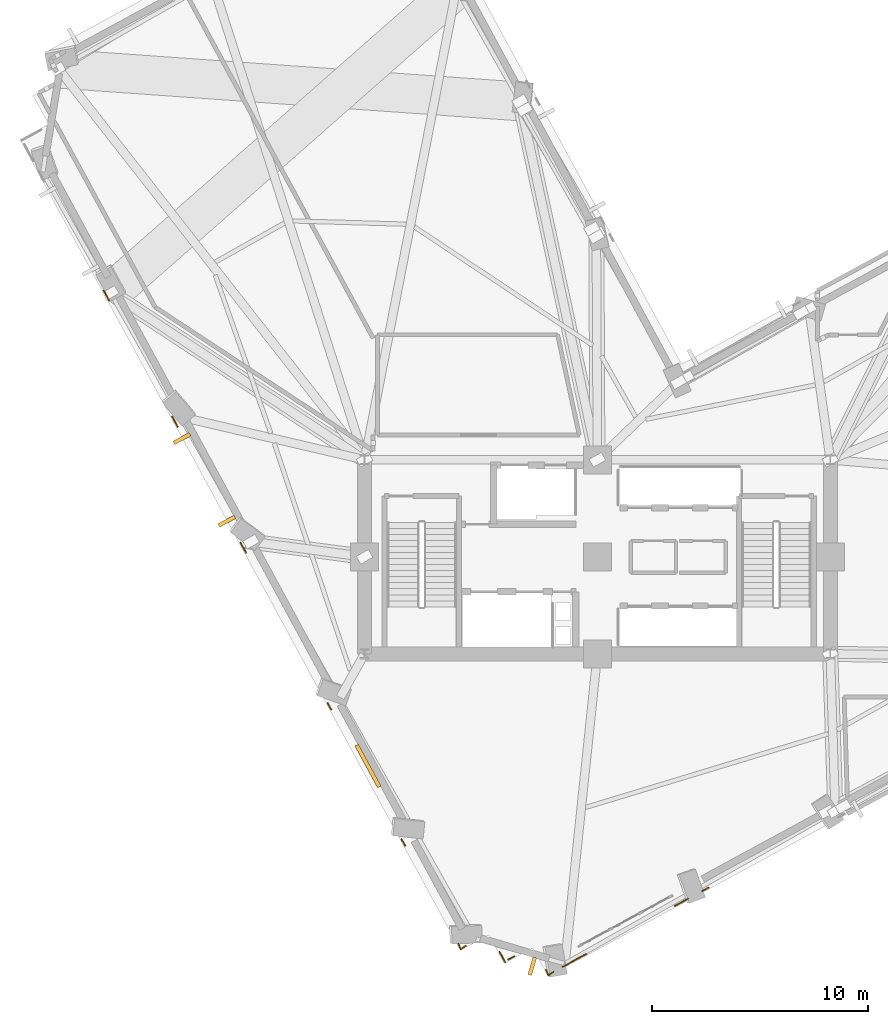
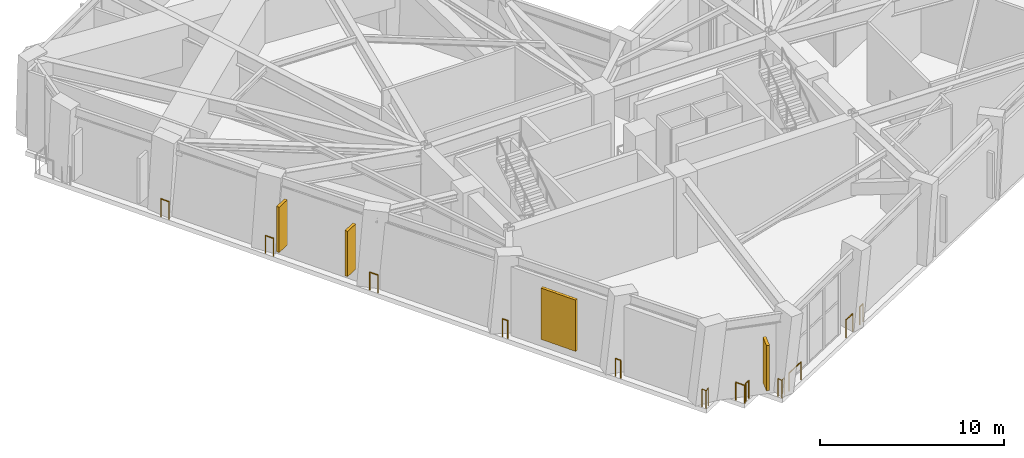
# One storey, part 11 of 15: 12 railings, 4 shading devices.
"""IFC4 building model written with IfcOpenShell, lengths in metres."""

from ifc_helpers import new_model, si_unit, direction, frame, origin, origin_2d, place, context, subcontext, project, spatial, rectangle, circle, extrude, material, layer, layer_set, type_object, element, save


model = new_model("IFC4")

# Units and contexts
model_context = context("Model", 3, precision=1e-05, world=origin(), true_north=direction((0.0, 1.0)))
body_context = subcontext(model_context, "Body", "Model", "MODEL_VIEW")
ifc_project = project(units=[si_unit("LENGTHUNIT", "METRE"), si_unit("AREAUNIT", "SQUARE_METRE"), si_unit("VOLUMEUNIT", "CUBIC_METRE"), si_unit("PLANEANGLEUNIT", "RADIAN"), si_unit("MASSUNIT", "GRAM", prefix="KILO")], contexts=[model_context])

# Site, building, storey
site_placement = place(None, origin())
site = spatial("IfcSite", under=ifc_project, at=site_placement, CompositionType="ELEMENT")
building_placement = place(site_placement, origin())
building = spatial("IfcBuilding", under=site, at=building_placement, Name="Gaonmaruhae Medical Tower", CompositionType="ELEMENT")
storey_placement = place(building_placement, frame((0.0, 0.0, 144.39990234375)))
storey = spatial("IfcBuildingStorey", under=building, at=storey_placement, Name="L34", CompositionType="ELEMENT", Elevation=144.39990234375)

# Railings
ifc_material_1 = material(Name="Stainless steel 316L and laminated safety glass", Category="steel")
ifc_layer = layer(ifc_material_1, 0.080078125)
ifc_layer_set = layer_set([ifc_layer], Name="Stainless steel 316L and laminated safety glass")
railing_type = type_object("IfcRailingType", Name="GD-120 Outdoor Terrace Safety Glass & Steel Balustrade", PredefinedType="BALUSTRADE", material=ifc_layer_set)
railing_1_placement = place(storey_placement, frame((23.193115234375, -6.714599609375, 0.0)))
element("IfcRailing", 1, at=railing_1_placement, inside=storey, type_object=railing_type, Name="L34 Perimeter Slab Edge Safety Balustrade 01", PredefinedType="BALUSTRADE", context=body_context, shape_type="SweptSolid", body=[
    extrude(circle(Radius=0.02392578125, at=origin_2d()), frame((0.0, 0.0, 1.17578125), z_axis=(0.878912577818, 0.476982893355, 0.0), x_axis=(-0.476982893355, 0.878912577818, 0.0)), (0.0, 0.0, 1.0), 1.236083984375),
    extrude(circle(Radius=0.02099609375, at=origin_2d()), origin(), (0.0, 0.0, 1.0), 1.15185546875),
    extrude(circle(Radius=0.02099609375, at=origin_2d()), frame((1.08642578125, 0.589599609375, 0.0)), (0.0, 0.0, 1.0), 1.15185546875),
])
railing_2_placement = place(storey_placement, frame((28.39501953125, -3.890380859375, 0.0)))
element("IfcRailing", 2, at=railing_2_placement, inside=storey, type_object=railing_type, Name="L34 Perimeter Slab Edge Safety Balustrade 02", PredefinedType="BALUSTRADE", context=body_context, shape_type="SweptSolid", body=[
    extrude(circle(Radius=0.02392578125, at=origin_2d()), frame((0.0, 0.0, 1.17578125), z_axis=(0.878882758307, 0.477037836184, 0.0), x_axis=(-0.477037836184, 0.878882758307, 0.0)), (0.0, 0.0, 1.0), 0.697998046875),
    extrude(circle(Radius=0.02099609375, at=origin_2d()), origin(), (0.0, 0.0, 1.0), 1.15185546875),
    extrude(circle(Radius=0.02099609375, at=origin_2d()), frame((0.613525390625, 0.3330078125, 0.0)), (0.0, 0.0, 1.0), 1.15185546875),
])
railing_3_placement = place(storey_placement, frame((29.656005859375, -3.205810546875, 0.0)))
element("IfcRailing", 3, at=railing_3_placement, inside=storey, type_object=railing_type, Name="L34 Perimeter Slab Edge Safety Balustrade 03", PredefinedType="BALUSTRADE", context=body_context, shape_type="SweptSolid", body=[
    extrude(circle(Radius=0.02392578125, at=origin_2d()), frame((0.0, 0.0, 1.17578125), z_axis=(0.878663855597, 0.477440916625, 0.0), x_axis=(-0.477440916625, 0.878663855597, 0.0)), (0.0, 0.0, 1.0), 0.339599609375),
    extrude(circle(Radius=0.02099609375, at=origin_2d()), origin(), (0.0, 0.0, 1.0), 1.15185546875),
    extrude(circle(Radius=0.02099609375, at=origin_2d()), frame((0.29833984375, 0.162109375, 0.0)), (0.0, 0.0, 1.0), 1.15185546875),
])
railing_4_placement = place(storey_placement, frame((1.9033203125, 24.644287109375, 0.0)))
element("IfcRailing", 4, at=railing_4_placement, inside=storey, type_object=railing_type, Name="L34 Perimeter Slab Edge Safety Balustrade 22", PredefinedType="BALUSTRADE", context=body_context, shape_type="SweptSolid", body=[
    extrude(circle(Radius=0.02392578125, at=origin_2d()), frame((0.0, 0.0, 1.17578125), z_axis=(0.476843023664, -0.878988470222, 0.0), x_axis=(0.878988470222, 0.476843023664, 0.0)), (0.0, 0.0, 1.0), 0.519775390625),
    extrude(circle(Radius=0.02099609375, at=origin_2d()), origin(), (0.0, 0.0, 1.0), 1.15185546875),
    extrude(circle(Radius=0.02099609375, at=origin_2d()), frame((0.247802734375, -0.456787109375, 0.0)), (0.0, 0.0, 1.0), 1.15185546875),
])
for number, where, name in (
    (5, (5.078125, 18.796875, 0.0), "L34 Perimeter Slab Edge Safety Balustrade 23"),
    (6, (8.2529296875, 12.949462890625, 0.0), "L34 Perimeter Slab Edge Safety Balustrade 24"),
):
    element("IfcRailing", number, at=place(storey_placement, frame(where)), inside=storey, type_object=railing_type, Name=name, PredefinedType="BALUSTRADE", context=body_context, shape_type="SweptSolid", body=[
        extrude(circle(Radius=0.02392578125, at=origin_2d()), frame((0.0, 0.0, 1.17578125), z_axis=(0.477205875892, -0.878791529325, 0.0), x_axis=(0.878791529325, 0.477205875892, 0.0)), (0.0, 0.0, 1.0), 0.519775390625),
        extrude(circle(Radius=0.02099609375, at=origin_2d()), origin(), (0.0, 0.0, 1.0), 1.15185546875),
        extrude(circle(Radius=0.02099609375, at=origin_2d()), frame((0.248046875, -0.456787109375, 0.0)), (0.0, 0.0, 1.0), 1.15185546875),
    ])
railing_5_placement = place(storey_placement, frame((12.285888671875, 5.521484375, 0.0)))
element("IfcRailing", 7, at=railing_5_placement, inside=storey, type_object=railing_type, Name="L34 Perimeter Slab Edge Safety Balustrade 25", PredefinedType="BALUSTRADE", context=body_context, shape_type="SweptSolid", body=[
    extrude(circle(Radius=0.02392578125, at=origin_2d()), frame((0.0, 0.0, 1.17578125), z_axis=(0.477694139408, -0.878526214279, 0.0), x_axis=(0.878526214279, 0.477694139408, 0.0)), (0.0, 0.0, 1.0), 0.33984375),
    extrude(circle(Radius=0.02099609375, at=origin_2d()), origin(), (0.0, 0.0, 1.0), 1.15185546875),
    extrude(circle(Radius=0.02099609375, at=origin_2d()), frame((0.162353515625, -0.298583984375, 0.0)), (0.0, 0.0, 1.0), 1.15185546875),
])
railing_6_placement = place(storey_placement, frame((15.718505859375, -0.800048828125, 0.0)))
element("IfcRailing", 8, at=railing_6_placement, inside=storey, type_object=railing_type, Name="L34 Perimeter Slab Edge Safety Balustrade 26", PredefinedType="BALUSTRADE", context=body_context, shape_type="SweptSolid", body=[
    extrude(circle(Radius=0.02392578125, at=origin_2d()), frame((0.0, 0.0, 1.17578125), z_axis=(0.477139435513, -0.878827604868, 0.0), x_axis=(0.878827604868, 0.477139435513, 0.0)), (0.0, 0.0, 1.0), 0.33984375),
    extrude(circle(Radius=0.02099609375, at=origin_2d()), origin(), (0.0, 0.0, 1.0), 1.15185546875),
    extrude(circle(Radius=0.02099609375, at=origin_2d()), frame((0.162109375, -0.298583984375, 0.0)), (0.0, 0.0, 1.0), 1.15185546875),
])
railing_7_placement = place(storey_placement, frame((20.259521484375, -6.0205078125, 0.0)))
element("IfcRailing", 9, at=railing_7_placement, inside=storey, type_object=railing_type, Name="L34 Perimeter Slab Edge Safety Balustrade 27", PredefinedType="BALUSTRADE", context=body_context, shape_type="SweptSolid", body=[
    extrude(circle(Radius=0.02392578125, at=origin_2d()), frame((0.0, 0.0, 1.17578125), z_axis=(0.477476730471, -0.878644394428, 0.0), x_axis=(0.878644394428, 0.477476730471, 0.0)), (0.0, 0.0, 1.0), 0.559814453125),
    extrude(circle(Radius=0.02099609375, at=origin_2d()), origin(), (0.0, 0.0, 1.0), 1.15185546875),
    extrude(circle(Radius=0.02099609375, at=origin_2d()), frame((0.267333984375, -0.491943359375, 0.0)), (0.0, 0.0, 1.0), 1.15185546875),
])
railing_8_placement = place(storey_placement, frame((20.6640625, -6.381103515625, 0.0)))
element("IfcRailing", 10, at=railing_8_placement, inside=storey, type_object=railing_type, Name="L34 Perimeter Slab Edge Safety Balustrade 28", PredefinedType="BALUSTRADE", context=body_context, shape_type="SweptSolid", body=[
    extrude(circle(Radius=0.02392578125, at=origin_2d()), frame((0.0, 0.0, 1.17578125), z_axis=(0.878665394592, 0.477438084306, 0.0), x_axis=(-0.477438084306, 0.878665394592, 0.0)), (0.0, 0.0, 1.0), 0.32666015625),
    extrude(circle(Radius=0.02099609375, at=origin_2d()), origin(), (0.0, 0.0, 1.0), 1.15185546875),
    extrude(circle(Radius=0.02099609375, at=origin_2d()), frame((0.287109375, 0.156005859375, 0.0)), (0.0, 0.0, 1.0), 1.15185546875),
])
railing_9_placement = place(storey_placement, frame((22.41748046875, -6.851318359375, 0.0)))
element("IfcRailing", 11, at=railing_9_placement, inside=storey, type_object=railing_type, Name="L34 Perimeter Corner Safety Balustrade 29", PredefinedType="BALUSTRADE", context=body_context, shape_type="SweptSolid", body=[
    extrude(circle(Radius=0.02392578125, at=origin_2d()), frame((0.0, 0.0, 1.17578125), z_axis=(0.367282675453, -0.93010936793, 0.0), x_axis=(0.93010936793, 0.367282675453, 0.0)), (0.0, 0.0, 1.0), 0.287109375),
    extrude(circle(Radius=0.02392578125, at=origin_2d()), frame((0.10546875, -0.26708984375, 1.17578125), z_axis=(0.814365457194, 0.580352394782, 0.0), x_axis=(-0.580352394782, 0.814365457194, 0.0)), (0.0, 0.0, 1.0), 0.286865234375),
    extrude(circle(Radius=0.02099609375, at=origin_2d()), origin(), (0.0, 0.0, 1.0), 1.15185546875),
    extrude(circle(Radius=0.02099609375, at=origin_2d()), frame((0.10546875, -0.26708984375, 0.0)), (0.0, 0.0, 1.0), 1.15185546875),
    extrude(circle(Radius=0.02099609375, at=origin_2d()), frame((0.339111328125, -0.1005859375, 0.0)), (0.0, 0.0, 1.0), 1.15185546875),
])
railing_10_placement = place(storey_placement, frame((18.349609375, -5.646484375, 0.0)))
element("IfcRailing", 12, at=railing_10_placement, inside=storey, type_object=railing_type, Name="L34 Perimeter Corner Safety Balustrade 31", PredefinedType="BALUSTRADE", context=body_context, shape_type="SweptSolid", body=[
    extrude(circle(Radius=0.02392578125, at=origin_2d()), frame((0.0, 0.0, 1.17578125), z_axis=(0.367282675453, -0.93010936793, 0.0), x_axis=(0.93010936793, 0.367282675453, 0.0)), (0.0, 0.0, 1.0), 0.287109375),
    extrude(circle(Radius=0.02392578125, at=origin_2d()), frame((0.10546875, -0.26708984375, 1.17578125), z_axis=(0.813963282255, 0.580916323699, 0.0), x_axis=(-0.580916323699, 0.813963282255, 0.0)), (0.0, 0.0, 1.0), 0.287109375),
    extrude(circle(Radius=0.02099609375, at=origin_2d()), origin(), (0.0, 0.0, 1.0), 1.15185546875),
    extrude(circle(Radius=0.02099609375, at=origin_2d()), frame((0.10546875, -0.26708984375, 0.0)), (0.0, 0.0, 1.0), 1.15185546875),
    extrude(circle(Radius=0.02099609375, at=origin_2d()), frame((0.339111328125, -0.100341796875, 0.0)), (0.0, 0.0, 1.0), 1.15185546875),
])

# Shading devices
ifc_material_2 = material(Name="Pigmented coral precast concrete C45/55", Category="concrete")
shading_device_type_1 = type_object("IfcShadingDeviceType", Name="SD-FIN1 Tower Vertical Coral Precast Shading Fin", PredefinedType="USERDEFINED", material=ifc_material_2)
for number, where, z_axis, x_axis, name in (
    (13, (7.611328125, 13.953125, 0.78271484375), (0.0, 0.0, 1.0), (-0.47715876026, 0.878817112662, 0.0), "L34 Vertical Coral Precast Shading Fin W03"),
    (14, (5.52978515625, 17.78662109375, 0.78271484375), (0.0, 0.0, 1.0), (-0.47715876026, 0.878817112662, 0.0), "L34 Vertical Coral Precast Shading Fin W03B"),
    (15, (21.776611328125, -6.690185546875, 0.78271484375), (0.0, 0.0, 1.0), (-0.958824691725, 0.283998610099, 0.0), "L34 Vertical Coral Precast Shading Fin W07"),
):
    element("IfcShadingDevice", number, at=place(storey_placement, frame(where, z_axis=z_axis, x_axis=x_axis)), inside=storey, type_object=shading_device_type_1, Name=name, ObjectType="FIN", PredefinedType="USERDEFINED", context=body_context, shape_type="SweptSolid", body=[
        extrude(rectangle(XDim=0.179931640625, YDim=0.85009765625, at=origin_2d()), origin(), (0.0, 0.0, 1.0), 3.0),
    ])
ifc_material_3 = material(Name="Anodised aluminium louvre", Category="aluminium")
shading_device_type_2 = type_object("IfcShadingDeviceType", Name="SD-LVR2 Refuge Mechanical Acoustic Louvre", PredefinedType="USERDEFINED", material=ifc_material_3)
shading_device_placement = place(storey_placement, frame((14.15673828125, 2.60009765625, 0.582763671875), z_axis=(0.0, 0.0, 1.0), x_axis=(-0.47715876026, 0.878817112662, 0.0)))
element("IfcShadingDevice", 16, at=shading_device_placement, inside=storey, type_object=shading_device_type_2, Name="L34 Refuge Mechanical Louvre W05", ObjectType="LOUVRE", PredefinedType="USERDEFINED", context=body_context, shape_type="SweptSolid", body=[
    extrude(rectangle(XDim=2.199951171875, YDim=0.179931640625, at=origin_2d()), origin(), (0.0, 0.0, 1.0), 3.39990234375),
])

save(model, "model.ifc")
